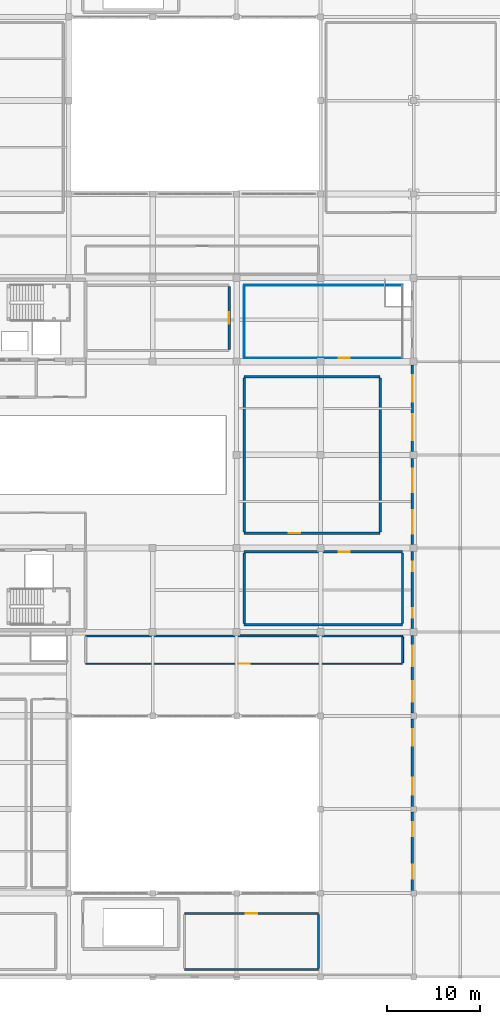
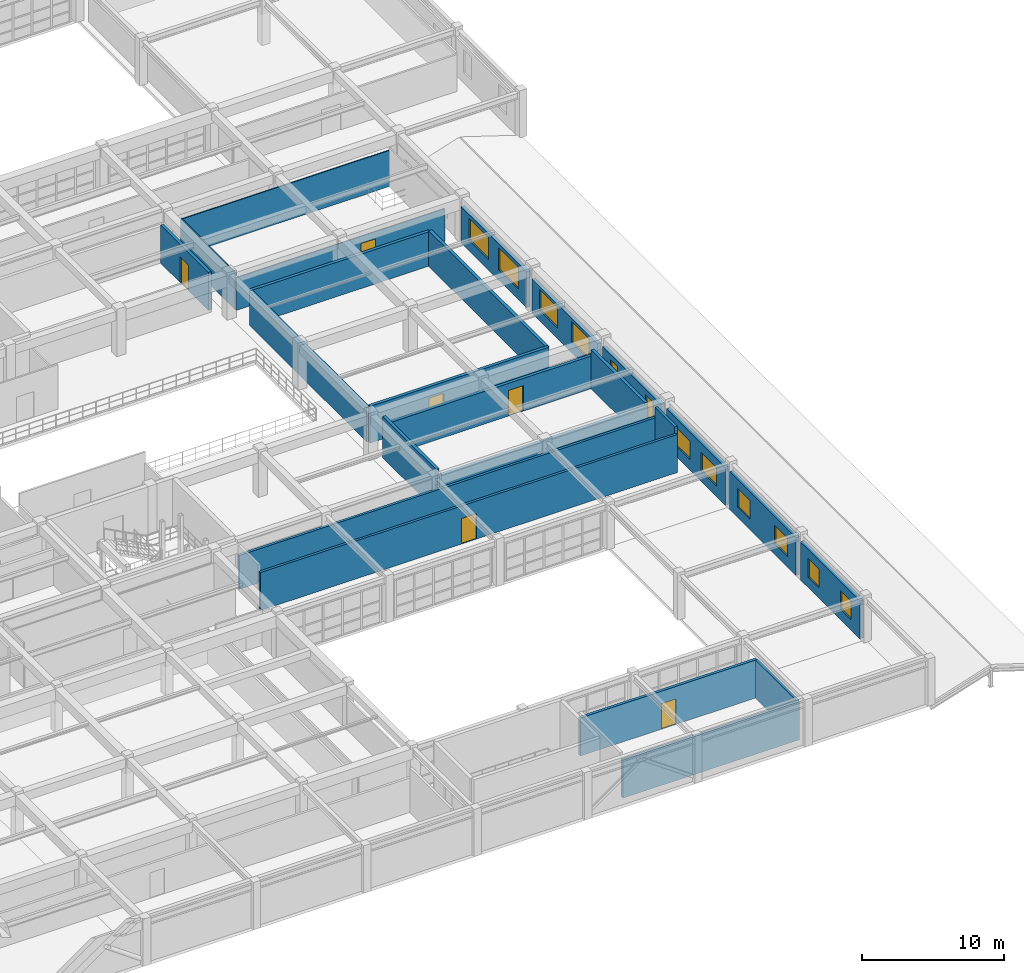
# One storey, part 117 of 130: 24 walls, 12 windows, 6 doors, 18 openings.
"""IFC4 building model written with IfcOpenShell, lengths in metres."""

from ifc_helpers import new_model, si_unit, direction, frame, frame_2d, origin, place, context, subcontext, project, spatial, rectangle, extrude, material, layer, layer_set, type_object, element, fill, save


model = new_model("IFC4")

# Units and contexts
model_context = context("Model", 3, precision=1e-05, world=origin(), true_north=direction((0.0, 1.0)))
body_context = subcontext(model_context, "Body", "Model", "MODEL_VIEW")
ifc_project = project(units=[si_unit("LENGTHUNIT", "METRE"), si_unit("AREAUNIT", "SQUARE_METRE"), si_unit("VOLUMEUNIT", "CUBIC_METRE"), si_unit("PLANEANGLEUNIT", "RADIAN"), si_unit("MASSUNIT", "GRAM", prefix="KILO")], contexts=[model_context])

# Site, building, storey
site_placement = place(None, origin())
site = spatial("IfcSite", under=ifc_project, at=site_placement, CompositionType="ELEMENT")
building_placement = place(site_placement, origin())
building = spatial("IfcBuilding", under=site, at=building_placement, Name="Miravela Opera House", CompositionType="ELEMENT")
storey_placement = place(building_placement, frame((0.0, 0.0, 9.52001953125)))
storey = spatial("IfcBuildingStorey", under=building, at=storey_placement, Name="L02", CompositionType="ELEMENT", Elevation=9.52001953125)

# Wall, openings, windows
ifc_material_1 = material(Name="Insulated cream lime-stuccoed masonry", Category="masonry")
ifc_layer_1 = layer(ifc_material_1, 0.2900390625)
ifc_layer_set_1 = layer_set([ifc_layer_1])
wall_type_1 = type_object("IfcWallType", Name="ARC-EW-STUCCO-290", PredefinedType="STANDARD", material=ifc_layer_set_1)
wall_1_placement = place(storey_placement, frame((153.85009765625, 9.300048828125, 0.0), z_axis=(0.0, 0.0, 1.0), x_axis=(0.0, 1.0, 0.0)))
wall_1 = element("IfcWall", 1, at=wall_1_placement, inside=storey, type_object=wall_type_1, Name="Spanish Colonial Stucco Facade Wall L02-011", PredefinedType="STANDARD", context=body_context, shape_type="SweptSolid", body=[
    extrude(rectangle(XDim=8.39990234375, YDim=0.2900390625, at=frame_2d((4.199951171875, 0.0))), origin(), (0.0, 0.0, 1.0), 3.277099609375),
])
opening_1_placement = place(wall_1_placement, frame((1.25, 0.0, 0.89990234375)))
opening_1 = element("IfcOpeningElement", 2, at=opening_1_placement, cuts=wall_1, Name="Opening W-12", PredefinedType="OPENING", context=body_context, shape_type="SweptSolid", body=[
    extrude(rectangle(XDim=1.5, YDim=1.60009765625, at=frame_2d((0.75, 0.800048828125))), frame((0.0, 0.155029296875, 0.0), z_axis=(0.0, -1.0, 0.0), x_axis=(1.0, 0.0, 0.0)), (0.0, 0.0, 1.0), 0.31005859375),
])
opening_2_placement = place(wall_1_placement, frame((5.800048828125, 0.0, 0.89990234375)))
opening_2 = element("IfcOpeningElement", 3, at=opening_2_placement, cuts=wall_1, Name="Opening W-12", PredefinedType="OPENING", context=body_context, shape_type="SweptSolid", body=[
    extrude(rectangle(XDim=1.5, YDim=1.60009765625, at=frame_2d((0.75, 0.800048828125))), frame((0.0, 0.155029296875, 0.0), z_axis=(0.0, -1.0, 0.0), x_axis=(1.0, 0.0, 0.0)), (0.0, 0.0, 1.0), 0.31005859375),
])
ifc_material_2 = material(Name="Bronze-anodised aluminium and acoustic low-E glass", Category="aluminium")
window_type_1 = type_object("IfcWindowType", Name="ARC-WIN-12", PartitioningType="DOUBLE_PANEL_VERTICAL", PredefinedType="WINDOW", material=ifc_material_2)
window_1_placement = place(opening_1_placement, origin())
window_1 = element("IfcWindow", 4, at=window_1_placement, inside=storey, type_object=window_type_1, Name="Window W-12 #045", OverallHeight=1.60009765625, OverallWidth=1.5, PartitioningType="DOUBLE_PANEL_VERTICAL", PredefinedType="WINDOW", context=body_context, shape_type="SweptSolid", body=[
    extrude(rectangle(XDim=1.5, YDim=1.60009765625, at=frame_2d((0.75, 0.800048828125))), frame((0.0, 0.030029296875, 0.0), z_axis=(0.0, -1.0, 0.0), x_axis=(1.0, 0.0, 0.0)), (0.0, 0.0, 1.0), 0.06005859375),
])
fill(opening_1, window_1)
window_2_placement = place(opening_2_placement, origin())
window_2 = element("IfcWindow", 5, at=window_2_placement, inside=storey, type_object=window_type_1, Name="Window W-12 #046", OverallHeight=1.60009765625, OverallWidth=1.5, PartitioningType="DOUBLE_PANEL_VERTICAL", PredefinedType="WINDOW", context=body_context, shape_type="SweptSolid", body=[
    extrude(rectangle(XDim=1.5, YDim=1.60009765625, at=frame_2d((0.75, 0.800048828125))), frame((0.0, 0.030029296875, 0.0), z_axis=(0.0, -1.0, 0.0), x_axis=(1.0, 0.0, 0.0)), (0.0, 0.0, 1.0), 0.06005859375),
])
fill(opening_2, window_2)

wall_2_placement = place(storey_placement, frame((153.85009765625, 18.300048828125, 0.0), z_axis=(0.0, 0.0, 1.0), x_axis=(0.0, 1.0, 0.0)))
wall_2 = element("IfcWall", 6, at=wall_2_placement, inside=storey, type_object=wall_type_1, Name="Spanish Colonial Stucco Facade Wall L02-012", PredefinedType="STANDARD", context=body_context, shape_type="SweptSolid", body=[
    extrude(rectangle(XDim=9.39990234375, YDim=0.2900390625, at=frame_2d((4.699951171875, 0.0))), origin(), (0.0, 0.0, 1.0), 3.277099609375),
])
opening_3_placement = place(wall_2_placement, frame((1.25, 0.0, 0.89990234375)))
opening_3 = element("IfcOpeningElement", 7, at=opening_3_placement, cuts=wall_2, Name="Opening W-13", PredefinedType="OPENING", context=body_context, shape_type="SweptSolid", body=[
    extrude(rectangle(XDim=1.800048828125, YDim=1.60009765625, at=frame_2d((0.89990234375, 0.800048828125))), frame((0.0, 0.155029296875, 0.0), z_axis=(0.0, -1.0, 0.0), x_axis=(1.0, 0.0, 0.0)), (0.0, 0.0, 1.0), 0.31005859375),
])
opening_4_placement = place(wall_2_placement, frame((6.5, 0.0, 0.89990234375)))
opening_4 = element("IfcOpeningElement", 8, at=opening_4_placement, cuts=wall_2, Name="Opening W-13", PredefinedType="OPENING", context=body_context, shape_type="SweptSolid", body=[
    extrude(rectangle(XDim=1.800048828125, YDim=1.60009765625, at=frame_2d((0.89990234375, 0.800048828125))), frame((0.0, 0.155029296875, 0.0), z_axis=(0.0, -1.0, 0.0), x_axis=(1.0, 0.0, 0.0)), (0.0, 0.0, 1.0), 0.31005859375),
])
window_type_2 = type_object("IfcWindowType", Name="ARC-WIN-13", PartitioningType="DOUBLE_PANEL_VERTICAL", PredefinedType="WINDOW", material=ifc_material_2)
window_3_placement = place(opening_3_placement, origin())
window_3 = element("IfcWindow", 9, at=window_3_placement, inside=storey, type_object=window_type_2, Name="Window W-13 #047", OverallHeight=1.60009765625, OverallWidth=1.800048828125, PartitioningType="DOUBLE_PANEL_VERTICAL", PredefinedType="WINDOW", context=body_context, shape_type="SweptSolid", body=[
    extrude(rectangle(XDim=1.800048828125, YDim=1.60009765625, at=frame_2d((0.89990234375, 0.800048828125))), frame((0.0, 0.030029296875, 0.0), z_axis=(0.0, -1.0, 0.0), x_axis=(1.0, 0.0, 0.0)), (0.0, 0.0, 1.0), 0.06005859375),
])
fill(opening_3, window_3)
window_4_placement = place(opening_4_placement, origin())
window_4 = element("IfcWindow", 10, at=window_4_placement, inside=storey, type_object=window_type_2, Name="Window W-13 #048", OverallHeight=1.60009765625, OverallWidth=1.800048828125, PartitioningType="DOUBLE_PANEL_VERTICAL", PredefinedType="WINDOW", context=body_context, shape_type="SweptSolid", body=[
    extrude(rectangle(XDim=1.800048828125, YDim=1.60009765625, at=frame_2d((0.89990234375, 0.800048828125))), frame((0.0, 0.030029296875, 0.0), z_axis=(0.0, -1.0, 0.0), x_axis=(1.0, 0.0, 0.0)), (0.0, 0.0, 1.0), 0.06005859375),
])
fill(opening_4, window_4)

wall_3_placement = place(storey_placement, frame((153.85009765625, 28.300048828125, 0.0), z_axis=(0.0, 0.0, 1.0), x_axis=(0.0, 1.0, 0.0)))
wall_3 = element("IfcWall", 11, at=wall_3_placement, inside=storey, type_object=wall_type_1, Name="Spanish Colonial Stucco Facade Wall L02-013", PredefinedType="STANDARD", context=body_context, shape_type="SweptSolid", body=[
    extrude(rectangle(XDim=8.324951171875, YDim=0.2900390625, at=frame_2d((4.16259765625, 0.0))), origin(), (0.0, 0.0, 1.0), 3.277099609375),
])
opening_5_placement = place(wall_3_placement, frame((1.25, 0.0, 0.89990234375)))
opening_5 = element("IfcOpeningElement", 12, at=opening_5_placement, cuts=wall_3, Name="Opening W-14", PredefinedType="OPENING", context=body_context, shape_type="SweptSolid", body=[
    extrude(rectangle(XDim=2.199951171875, YDim=1.60009765625, at=frame_2d((1.10009765625, 0.800048828125))), frame((0.0, 0.155029296875, 0.0), z_axis=(0.0, -1.0, 0.0), x_axis=(1.0, 0.0, 0.0)), (0.0, 0.0, 1.0), 0.31005859375),
])
opening_6_placement = place(wall_3_placement, frame((5.02490234375, 0.0, 0.89990234375)))
opening_6 = element("IfcOpeningElement", 13, at=opening_6_placement, cuts=wall_3, Name="Opening W-14", PredefinedType="OPENING", context=body_context, shape_type="SweptSolid", body=[
    extrude(rectangle(XDim=2.199951171875, YDim=1.60009765625, at=frame_2d((1.10009765625, 0.800048828125))), frame((0.0, 0.155029296875, 0.0), z_axis=(0.0, -1.0, 0.0), x_axis=(1.0, 0.0, 0.0)), (0.0, 0.0, 1.0), 0.31005859375),
])
window_type_3 = type_object("IfcWindowType", Name="ARC-WIN-14", PartitioningType="DOUBLE_PANEL_VERTICAL", PredefinedType="WINDOW", material=ifc_material_2)
window_5_placement = place(opening_5_placement, origin())
window_5 = element("IfcWindow", 14, at=window_5_placement, inside=storey, type_object=window_type_3, Name="Window W-14 #049", OverallHeight=1.60009765625, OverallWidth=2.199951171875, PartitioningType="DOUBLE_PANEL_VERTICAL", PredefinedType="WINDOW", context=body_context, shape_type="SweptSolid", body=[
    extrude(rectangle(XDim=2.199951171875, YDim=1.60009765625, at=frame_2d((1.10009765625, 0.800048828125))), frame((0.0, 0.030029296875, 0.0), z_axis=(0.0, -1.0, 0.0), x_axis=(1.0, 0.0, 0.0)), (0.0, 0.0, 1.0), 0.06005859375),
])
fill(opening_5, window_5)
window_6_placement = place(opening_6_placement, origin())
window_6 = element("IfcWindow", 15, at=window_6_placement, inside=storey, type_object=window_type_3, Name="Window W-14 #050", OverallHeight=1.60009765625, OverallWidth=2.199951171875, PartitioningType="DOUBLE_PANEL_VERTICAL", PredefinedType="WINDOW", context=body_context, shape_type="SweptSolid", body=[
    extrude(rectangle(XDim=2.199951171875, YDim=1.60009765625, at=frame_2d((1.10009765625, 0.800048828125))), frame((0.0, 0.030029296875, 0.0), z_axis=(0.0, -1.0, 0.0), x_axis=(1.0, 0.0, 0.0)), (0.0, 0.0, 1.0), 0.06005859375),
])
fill(opening_6, window_6)

wall_4_placement = place(storey_placement, frame((153.85009765625, 37.375, 0.0), z_axis=(0.0, 0.0, 1.0), x_axis=(0.0, 1.0, 0.0)))
wall_4 = element("IfcWall", 16, at=wall_4_placement, inside=storey, type_object=wall_type_1, Name="Spanish Colonial Stucco Facade Wall L02-014", PredefinedType="STANDARD", context=body_context, shape_type="SweptSolid", body=[
    extrude(rectangle(XDim=8.25, YDim=0.2900390625, at=frame_2d((4.125, 0.0))), origin(), (0.0, 0.0, 1.0), 3.169921875),
])
opening_7_placement = place(wall_4_placement, frame((1.175048828125, 0.0, 0.89990234375)))
opening_7 = element("IfcOpeningElement", 17, at=opening_7_placement, cuts=wall_4, Name="Opening W-15", PredefinedType="OPENING", context=body_context, shape_type="SweptSolid", body=[
    extrude(rectangle(XDim=1.0, YDim=1.800048828125, at=frame_2d((0.5, 0.89990234375))), frame((0.0, 0.155029296875, 0.0), z_axis=(0.0, -1.0, 0.0), x_axis=(1.0, 0.0, 0.0)), (0.0, 0.0, 1.0), 0.31005859375),
])
opening_8_placement = place(wall_4_placement, frame((6.14990234375, 0.0, 0.89990234375)))
opening_8 = element("IfcOpeningElement", 18, at=opening_8_placement, cuts=wall_4, Name="Opening W-15", PredefinedType="OPENING", context=body_context, shape_type="SweptSolid", body=[
    extrude(rectangle(XDim=1.0, YDim=1.800048828125, at=frame_2d((0.5, 0.89990234375))), frame((0.0, 0.155029296875, 0.0), z_axis=(0.0, -1.0, 0.0), x_axis=(1.0, 0.0, 0.0)), (0.0, 0.0, 1.0), 0.31005859375),
])
window_type_4 = type_object("IfcWindowType", Name="ARC-WIN-15", PartitioningType="SINGLE_PANEL", PredefinedType="WINDOW", material=ifc_material_2)
window_7_placement = place(opening_7_placement, origin())
window_7 = element("IfcWindow", 19, at=window_7_placement, inside=storey, type_object=window_type_4, Name="Window W-15 #051", OverallHeight=1.800048828125, OverallWidth=1.0, PartitioningType="SINGLE_PANEL", PredefinedType="WINDOW", context=body_context, shape_type="SweptSolid", body=[
    extrude(rectangle(XDim=1.0, YDim=1.800048828125, at=frame_2d((0.5, 0.89990234375))), frame((0.0, 0.030029296875, 0.0), z_axis=(0.0, -1.0, 0.0), x_axis=(1.0, 0.0, 0.0)), (0.0, 0.0, 1.0), 0.06005859375),
])
fill(opening_7, window_7)
window_8_placement = place(opening_8_placement, origin())
window_8 = element("IfcWindow", 20, at=window_8_placement, inside=storey, type_object=window_type_4, Name="Window W-15 #052", OverallHeight=1.800048828125, OverallWidth=1.0, PartitioningType="SINGLE_PANEL", PredefinedType="WINDOW", context=body_context, shape_type="SweptSolid", body=[
    extrude(rectangle(XDim=1.0, YDim=1.800048828125, at=frame_2d((0.5, 0.89990234375))), frame((0.0, 0.030029296875, 0.0), z_axis=(0.0, -1.0, 0.0), x_axis=(1.0, 0.0, 0.0)), (0.0, 0.0, 1.0), 0.06005859375),
])
fill(opening_8, window_8)

wall_5_placement = place(storey_placement, frame((153.85009765625, 46.375, 0.0), z_axis=(0.0, 0.0, 1.0), x_axis=(0.0, 1.0, 0.0)))
wall_5 = element("IfcWall", 21, at=wall_5_placement, inside=storey, type_object=wall_type_1, Name="Spanish Colonial Stucco Facade Wall L02-015", PredefinedType="STANDARD", context=body_context, shape_type="SweptSolid", body=[
    extrude(rectangle(XDim=9.25, YDim=0.2900390625, at=frame_2d((4.625, 0.0))), origin(), (0.0, 0.0, 1.0), 2.969970703125),
])
opening_9_placement = place(wall_5_placement, frame((1.175048828125, 0.0, 0.89990234375)))
opening_9 = element("IfcOpeningElement", 22, at=opening_9_placement, cuts=wall_5, Name="Opening W-19", PredefinedType="OPENING", context=body_context, shape_type="SweptSolid", body=[
    extrude(rectangle(XDim=2.5, YDim=1.800048828125, at=frame_2d((1.25, 0.89990234375))), frame((0.0, 0.155029296875, 0.0), z_axis=(0.0, -1.0, 0.0), x_axis=(1.0, 0.0, 0.0)), (0.0, 0.0, 1.0), 0.31005859375),
])
opening_10_placement = place(wall_5_placement, frame((5.64990234375, 0.0, 0.89990234375)))
opening_10 = element("IfcOpeningElement", 23, at=opening_10_placement, cuts=wall_5, Name="Opening W-19", PredefinedType="OPENING", context=body_context, shape_type="SweptSolid", body=[
    extrude(rectangle(XDim=2.5, YDim=1.800048828125, at=frame_2d((1.25, 0.89990234375))), frame((0.0, 0.155029296875, 0.0), z_axis=(0.0, -1.0, 0.0), x_axis=(1.0, 0.0, 0.0)), (0.0, 0.0, 1.0), 0.31005859375),
])
window_type_5 = type_object("IfcWindowType", Name="ARC-WIN-19", PartitioningType="TRIPLE_PANEL_VERTICAL", PredefinedType="WINDOW", material=ifc_material_2)
window_9_placement = place(opening_9_placement, origin())
window_9 = element("IfcWindow", 24, at=window_9_placement, inside=storey, type_object=window_type_5, Name="Window W-19 #053", OverallHeight=1.800048828125, OverallWidth=2.5, PartitioningType="TRIPLE_PANEL_VERTICAL", PredefinedType="WINDOW", context=body_context, shape_type="SweptSolid", body=[
    extrude(rectangle(XDim=2.5, YDim=1.800048828125, at=frame_2d((1.25, 0.89990234375))), frame((0.0, 0.030029296875, 0.0), z_axis=(0.0, -1.0, 0.0), x_axis=(1.0, 0.0, 0.0)), (0.0, 0.0, 1.0), 0.06005859375),
])
fill(opening_9, window_9)
window_10_placement = place(opening_10_placement, origin())
window_10 = element("IfcWindow", 25, at=window_10_placement, inside=storey, type_object=window_type_5, Name="Window W-19 #054", OverallHeight=1.800048828125, OverallWidth=2.5, PartitioningType="TRIPLE_PANEL_VERTICAL", PredefinedType="WINDOW", context=body_context, shape_type="SweptSolid", body=[
    extrude(rectangle(XDim=2.5, YDim=1.800048828125, at=frame_2d((1.25, 0.89990234375))), frame((0.0, 0.030029296875, 0.0), z_axis=(0.0, -1.0, 0.0), x_axis=(1.0, 0.0, 0.0)), (0.0, 0.0, 1.0), 0.06005859375),
])
fill(opening_10, window_10)

wall_6_placement = place(storey_placement, frame((153.85009765625, 56.375, 0.0), z_axis=(0.0, 0.0, 1.0), x_axis=(0.0, 1.0, 0.0)))
wall_6 = element("IfcWall", 26, at=wall_6_placement, inside=storey, type_object=wall_type_1, Name="Spanish Colonial Stucco Facade Wall L02-016", PredefinedType="STANDARD", context=body_context, shape_type="SweptSolid", body=[
    extrude(rectangle(XDim=9.25, YDim=0.2900390625, at=frame_2d((4.625, 0.0))), origin(), (0.0, 0.0, 1.0), 3.119873046875),
])
opening_11_placement = place(wall_6_placement, frame((1.175048828125, 0.0, 0.89990234375)))
opening_11 = element("IfcOpeningElement", 27, at=opening_11_placement, cuts=wall_6, Name="Opening W-20", PredefinedType="OPENING", context=body_context, shape_type="SweptSolid", body=[
    extrude(rectangle(XDim=2.800048828125, YDim=1.89990234375, at=frame_2d((1.39990234375, 0.949951171875))), frame((0.0, 0.155029296875, 0.0), z_axis=(0.0, -1.0, 0.0), x_axis=(1.0, 0.0, 0.0)), (0.0, 0.0, 1.0), 0.31005859375),
])
opening_12_placement = place(wall_6_placement, frame((5.35009765625, 0.0, 0.89990234375)))
opening_12 = element("IfcOpeningElement", 28, at=opening_12_placement, cuts=wall_6, Name="Opening W-20", PredefinedType="OPENING", context=body_context, shape_type="SweptSolid", body=[
    extrude(rectangle(XDim=2.800048828125, YDim=1.89990234375, at=frame_2d((1.39990234375, 0.949951171875))), frame((0.0, 0.155029296875, 0.0), z_axis=(0.0, -1.0, 0.0), x_axis=(1.0, 0.0, 0.0)), (0.0, 0.0, 1.0), 0.31005859375),
])
window_type_6 = type_object("IfcWindowType", Name="ARC-WIN-20", PartitioningType="TRIPLE_PANEL_VERTICAL", PredefinedType="WINDOW", material=ifc_material_2)
window_11_placement = place(opening_11_placement, origin())
window_11 = element("IfcWindow", 29, at=window_11_placement, inside=storey, type_object=window_type_6, Name="Window W-20 #055", OverallHeight=1.89990234375, OverallWidth=2.800048828125, PartitioningType="TRIPLE_PANEL_VERTICAL", PredefinedType="WINDOW", context=body_context, shape_type="SweptSolid", body=[
    extrude(rectangle(XDim=2.800048828125, YDim=1.89990234375, at=frame_2d((1.39990234375, 0.949951171875))), frame((0.0, 0.030029296875, 0.0), z_axis=(0.0, -1.0, 0.0), x_axis=(1.0, 0.0, 0.0)), (0.0, 0.0, 1.0), 0.06005859375),
])
fill(opening_11, window_11)
window_12_placement = place(opening_12_placement, origin())
window_12 = element("IfcWindow", 30, at=window_12_placement, inside=storey, type_object=window_type_6, Name="Window W-20 #056", OverallHeight=1.89990234375, OverallWidth=2.800048828125, PartitioningType="TRIPLE_PANEL_VERTICAL", PredefinedType="WINDOW", context=body_context, shape_type="SweptSolid", body=[
    extrude(rectangle(XDim=2.800048828125, YDim=1.89990234375, at=frame_2d((1.39990234375, 0.949951171875))), frame((0.0, 0.030029296875, 0.0), z_axis=(0.0, -1.0, 0.0), x_axis=(1.0, 0.0, 0.0)), (0.0, 0.0, 1.0), 0.06005859375),
])
fill(opening_12, window_12)

# Wall, opening, door
ifc_material_3 = material(Name="Acoustic metal-stud gypsum partition")
ifc_layer_2 = layer(ifc_material_3, 0.090087890625)
ifc_layer_set_2 = layer_set([ifc_layer_2])
wall_type_2 = type_object("IfcWallType", Name="ARC-PT-090", PredefinedType="PARTITIONING", material=ifc_layer_set_2)
wall_7_placement = place(storey_placement, frame((135.800048828125, 66.39990234375, 0.0), z_axis=(0.0, 0.0, 1.0), x_axis=(1.0, 0.0, 0.0)))
wall_7 = element("IfcWall", 31, at=wall_7_placement, inside=storey, type_object=wall_type_2, Name="Stage Sound Mixing and Foley Studio Partition South", PredefinedType="PARTITIONING", context=body_context, shape_type="SweptSolid", body=[
    extrude(rectangle(XDim=17.0, YDim=0.090087890625, at=frame_2d((8.5, 0.0))), origin(), (0.0, 0.0, 1.0), 2.820068359375),
])
opening_13_placement = place(wall_7_placement, frame((10.14404296875, 0.0, 0.0)))
opening_13 = element("IfcOpeningElement", 32, at=opening_13_placement, cuts=wall_7, Name="Opening ID-04", PredefinedType="OPENING", context=body_context, shape_type="SweptSolid", body=[
    extrude(rectangle(XDim=1.199951171875, YDim=2.199951171875, at=frame_2d((0.60009765625, 1.10009765625))), frame((0.0, 0.054931640625, 0.0), z_axis=(0.0, -1.0, 0.0), x_axis=(1.0, 0.0, 0.0)), (0.0, 0.0, 1.0), 0.110107421875),
])
ifc_material_4 = material(Name="Wide acoustic ensemble door")
door_type_1 = type_object("IfcDoorType", Name="ARC-DR-1200X2200", OperationType="NOTDEFINED", PredefinedType="DOOR", material=ifc_material_4)
door_1_placement = place(opening_13_placement, origin())
door_1 = element("IfcDoor", 33, at=door_1_placement, inside=storey, type_object=door_type_1, Name="Stage Sound Mixing and Foley Studio Entry Door IDR-L02-0254", OperationType="SINGLE_SWING_RIGHT", OverallHeight=2.199951171875, OverallWidth=1.199951171875, PredefinedType="DOOR", context=body_context, shape_type="SweptSolid", body=[
    extrude(rectangle(XDim=1.199951171875, YDim=2.199951171875, at=frame_2d((0.60009765625, 1.10009765625))), frame((0.0, 0.02490234375, 0.0), z_axis=(0.0, -1.0, 0.0), x_axis=(1.0, 0.0, 0.0)), (0.0, 0.0, 1.0), 0.050048828125),
])
fill(opening_13, door_1)

# Walls
wall_8_placement = place(storey_placement, frame((135.800048828125, 74.199951171875, 0.0), z_axis=(0.0, 0.0, 1.0), x_axis=(1.0, 0.0, 0.0)))
element("IfcWall", 34, at=wall_8_placement, inside=storey, type_object=wall_type_2, Name="Stage Sound Mixing and Foley Studio Partition North", PredefinedType="PARTITIONING", context=body_context, shape_type="SweptSolid", body=[
    extrude(rectangle(XDim=17.0, YDim=0.090087890625, at=frame_2d((8.5, 0.0))), origin(), (0.0, 0.0, 1.0), 3.119873046875),
])
wall_9_placement = place(storey_placement, frame((135.800048828125, 66.445068359375, 0.0), z_axis=(0.0, 0.0, 1.0), x_axis=(0.0, 1.0, 0.0)))
element("IfcWall", 35, at=wall_9_placement, inside=storey, type_object=wall_type_2, Name="Stage Sound Mixing and Foley Studio Partition West", PredefinedType="PARTITIONING", context=body_context, shape_type="SweptSolid", body=[
    extrude(rectangle(XDim=7.7099609375, YDim=0.090087890625, at=frame_2d((3.85498046875, 0.0))), origin(), (0.0, 0.0, 1.0), 3.219970703125),
])
ifc_material_5 = material(Name="High-STC auditorium lobby partition")
ifc_layer_3 = layer(ifc_material_5, 0.22998046875)
ifc_layer_set_3 = layer_set([ifc_layer_3])
wall_type_3 = type_object("IfcWallType", Name="ARC-PT-205", PredefinedType="PARTITIONING", material=ifc_layer_set_3)
wall_10_placement = place(storey_placement, frame((129.39990234375, 0.800048828125, 0.0), z_axis=(0.0, 0.0, 1.0), x_axis=(1.0, 0.0, 0.0)))
element("IfcWall", 36, at=wall_10_placement, inside=storey, type_object=wall_type_3, Name="Male Chorus Dressing Suite Partition South", PredefinedType="PARTITIONING", context=body_context, shape_type="SweptSolid", body=[
    extrude(rectangle(XDim=14.400146484375, YDim=0.22998046875, at=frame_2d((7.2001953125, 0.0))), origin(), (0.0, 0.0, 1.0), 3.277099609375),
])

# Wall, opening, door
wall_11_placement = place(storey_placement, frame((129.39990234375, 6.800048828125, 0.0), z_axis=(0.0, 0.0, 1.0), x_axis=(1.0, 0.0, 0.0)))
wall_11 = element("IfcWall", 37, at=wall_11_placement, inside=storey, type_object=wall_type_3, Name="Male Chorus Dressing Suite Partition North", PredefinedType="PARTITIONING", context=body_context, shape_type="SweptSolid", body=[
    extrude(rectangle(XDim=14.400146484375, YDim=0.22998046875, at=frame_2d((7.2001953125, 0.0))), origin(), (0.0, 0.0, 1.0), 3.277099609375),
])
opening_14_placement = place(wall_11_placement, frame((6.60009765625, 0.0, 0.0)))
opening_14 = element("IfcOpeningElement", 38, at=opening_14_placement, cuts=wall_11, Name="Opening ID-04", PredefinedType="OPENING", context=body_context, shape_type="SweptSolid", body=[
    extrude(rectangle(XDim=1.199951171875, YDim=2.199951171875, at=frame_2d((0.60009765625, 1.10009765625))), frame((0.0, 0.125, 0.0), z_axis=(0.0, -1.0, 0.0), x_axis=(1.0, 0.0, 0.0)), (0.0, 0.0, 1.0), 0.25),
])
door_2_placement = place(opening_14_placement, frame((1.199951171875, 0.0, 0.0), z_axis=(0.0, 0.0, 1.0), x_axis=(-1.0, 0.0, 0.0)))
door_2 = element("IfcDoor", 39, at=door_2_placement, inside=storey, type_object=door_type_1, Name="Male Chorus Dressing Suite Entry Door IDR-L02-0234", OperationType="SINGLE_SWING_LEFT", OverallHeight=2.199951171875, OverallWidth=1.199951171875, PredefinedType="DOOR", context=body_context, shape_type="SweptSolid", body=[
    extrude(rectangle(XDim=1.199951171875, YDim=2.199951171875, at=frame_2d((0.60009765625, 1.10009765625))), frame((0.0, 0.02490234375, 0.0), z_axis=(0.0, -1.0, 0.0), x_axis=(1.0, 0.0, 0.0)), (0.0, 0.0, 1.0), 0.050048828125),
])
fill(opening_14, door_2)

# Wall
wall_12_placement = place(storey_placement, frame((143.800048828125, 0.9150390625, 0.0), z_axis=(0.0, 0.0, 1.0), x_axis=(0.0, 1.0, 0.0)))
element("IfcWall", 40, at=wall_12_placement, inside=storey, type_object=wall_type_3, Name="Male Chorus Dressing Suite Partition East", PredefinedType="PARTITIONING", context=body_context, shape_type="SweptSolid", body=[
    extrude(rectangle(XDim=5.77001953125, YDim=0.22998046875, at=frame_2d((2.885009765625, 0.0))), origin(), (0.0, 0.0, 1.0), 3.277099609375),
])

# Wall, opening, door
ifc_material_6 = material(Name="Workshop fire-resisting block partition")
ifc_layer_4 = layer(ifc_material_6, 0.2099609375)
ifc_layer_set_4 = layer_set([ifc_layer_4])
wall_type_4 = type_object("IfcWallType", Name="ARC-PT-210", PredefinedType="PARTITIONING", material=ifc_layer_set_4)
wall_13_placement = place(storey_placement, frame((118.800048828125, 33.60009765625, 0.0), z_axis=(0.0, 0.0, 1.0), x_axis=(1.0, 0.0, 0.0)))
wall_13 = element("IfcWall", 41, at=wall_13_placement, inside=storey, type_object=wall_type_4, Name="Youth Chorus Dressing Suite Partition South", PredefinedType="PARTITIONING", context=body_context, shape_type="SweptSolid", body=[
    extrude(rectangle(XDim=34.0, YDim=0.2099609375, at=frame_2d((17.0, 0.0))), origin(), (0.0, 0.0, 1.0), 3.277099609375),
])
opening_15_placement = place(wall_13_placement, frame((16.39990234375, 0.0, 0.0)))
opening_15 = element("IfcOpeningElement", 42, at=opening_15_placement, cuts=wall_13, Name="Opening ID-04", PredefinedType="OPENING", context=body_context, shape_type="SweptSolid", body=[
    extrude(rectangle(XDim=1.199951171875, YDim=2.199951171875, at=frame_2d((0.60009765625, 1.10009765625))), frame((0.0, 0.114990234375, 0.0), z_axis=(0.0, -1.0, 0.0), x_axis=(1.0, 0.0, 0.0)), (0.0, 0.0, 1.0), 0.22998046875),
])
door_3_placement = place(opening_15_placement, frame((1.199951171875, 0.0, 0.0), z_axis=(0.0, 0.0, 1.0), x_axis=(-1.0, 0.0, 0.0)))
door_3 = element("IfcDoor", 43, at=door_3_placement, inside=storey, type_object=door_type_1, Name="Youth Chorus Dressing Suite Entry Door IDR-L02-0242", OperationType="SINGLE_SWING_LEFT", OverallHeight=2.199951171875, OverallWidth=1.199951171875, PredefinedType="DOOR", context=body_context, shape_type="SweptSolid", body=[
    extrude(rectangle(XDim=1.199951171875, YDim=2.199951171875, at=frame_2d((0.60009765625, 1.10009765625))), frame((0.0, 0.02490234375, 0.0), z_axis=(0.0, -1.0, 0.0), x_axis=(1.0, 0.0, 0.0)), (0.0, 0.0, 1.0), 0.050048828125),
])
fill(opening_15, door_3)

# Walls
wall_14_placement = place(storey_placement, frame((118.800048828125, 36.60009765625, 0.0), z_axis=(0.0, 0.0, 1.0), x_axis=(1.0, 0.0, 0.0)))
element("IfcWall", 44, at=wall_14_placement, inside=storey, type_object=wall_type_4, Name="Youth Chorus Dressing Suite Partition North", PredefinedType="PARTITIONING", context=body_context, shape_type="SweptSolid", body=[
    extrude(rectangle(XDim=34.0, YDim=0.2099609375, at=frame_2d((17.0, 0.0))), origin(), (0.0, 0.0, 1.0), 2.919921875),
])
wall_15_placement = place(storey_placement, frame((152.800048828125, 33.705078125, 0.0), z_axis=(0.0, 0.0, 1.0), x_axis=(0.0, 1.0, 0.0)))
element("IfcWall", 45, at=wall_15_placement, inside=storey, type_object=wall_type_4, Name="Youth Chorus Dressing Suite Partition East", PredefinedType="PARTITIONING", context=body_context, shape_type="SweptSolid", body=[
    extrude(rectangle(XDim=2.7900390625, YDim=0.2099609375, at=frame_2d((1.39501953125, 0.0))), origin(), (0.0, 0.0, 1.0), 3.840087890625),
])

# Wall, opening, door
ifc_material_7 = material(Name="Firefighting lobby compartment wall")
ifc_layer_5 = layer(ifc_material_7, 0.25)
ifc_layer_set_5 = layer_set([ifc_layer_5])
wall_type_5 = type_object("IfcWallType", Name="ARC-PT-220", PredefinedType="PARTITIONING", material=ifc_layer_set_5)
wall_16_placement = place(storey_placement, frame((134.199951171875, 67.324951171875, 0.0), z_axis=(0.0, 0.0, 1.0), x_axis=(0.0, 1.0, 0.0)))
wall_16 = element("IfcWall", 46, at=wall_16_placement, inside=storey, type_object=wall_type_5, Name="Stage Fly Gallery Lower North Partition East", PredefinedType="PARTITIONING", context=body_context, shape_type="SweptSolid", body=[
    extrude(rectangle(XDim=6.75, YDim=0.25, at=frame_2d((3.375, 0.0))), origin(), (0.0, 0.0, 1.0), 3.286865234375),
])
opening_16_placement = place(wall_16_placement, frame((2.77490234375, 0.0, 0.0)))
opening_16 = element("IfcOpeningElement", 47, at=opening_16_placement, cuts=wall_16, Name="Opening FD-02", PredefinedType="OPENING", context=body_context, shape_type="SweptSolid", body=[
    extrude(rectangle(XDim=1.199951171875, YDim=2.199951171875, at=frame_2d((0.60009765625, 1.10009765625))), frame((0.0, 0.135009765625, 0.0), z_axis=(0.0, -1.0, 0.0), x_axis=(1.0, 0.0, 0.0)), (0.0, 0.0, 1.0), 0.27001953125),
])
ifc_material_8 = material(Name="Fire-rated gallery/plant exit door")
door_type_2 = type_object("IfcDoorType", Name="ARC-FD-1200X2200", OperationType="NOTDEFINED", PredefinedType="DOOR", material=ifc_material_8)
door_4_placement = place(opening_16_placement, origin())
door_4 = element("IfcDoor", 48, at=door_4_placement, inside=storey, type_object=door_type_2, Name="Stage Fly Gallery Lower North Entry Door IDR-L02-0227", OperationType="SINGLE_SWING_RIGHT", OverallHeight=2.199951171875, OverallWidth=1.199951171875, PredefinedType="DOOR", context=body_context, shape_type="SweptSolid", body=[
    extrude(rectangle(XDim=1.199951171875, YDim=2.199951171875, at=frame_2d((0.60009765625, 1.10009765625))), frame((0.0, 0.02490234375, 0.0), z_axis=(0.0, -1.0, 0.0), x_axis=(1.0, 0.0, 0.0)), (0.0, 0.0, 1.0), 0.050048828125),
])
fill(opening_16, door_4)

wall_17_placement = place(storey_placement, frame((135.800048828125, 47.60009765625, 0.0), z_axis=(0.0, 0.0, 1.0), x_axis=(1.0, 0.0, 0.0)))
wall_17 = element("IfcWall", 49, at=wall_17_placement, inside=storey, type_object=wall_type_5, Name="Stage Audio and Dimmer Rack Suite Partition South", PredefinedType="PARTITIONING", context=body_context, shape_type="SweptSolid", body=[
    extrude(rectangle(XDim=14.599853515625, YDim=0.25, at=frame_2d((7.2998046875, 0.0))), origin(), (0.0, 0.0, 1.0), 3.169921875),
])
opening_17_placement = place(wall_17_placement, frame((4.81591796875, 0.0, 0.0)))
opening_17 = element("IfcOpeningElement", 50, at=opening_17_placement, cuts=wall_17, Name="Opening FD-02", PredefinedType="OPENING", context=body_context, shape_type="SweptSolid", body=[
    extrude(rectangle(XDim=1.199951171875, YDim=2.199951171875, at=frame_2d((0.60009765625, 1.10009765625))), frame((0.0, 0.135009765625, 0.0), z_axis=(0.0, -1.0, 0.0), x_axis=(1.0, 0.0, 0.0)), (0.0, 0.0, 1.0), 0.27001953125),
])
door_5_placement = place(opening_17_placement, origin())
door_5 = element("IfcDoor", 51, at=door_5_placement, inside=storey, type_object=door_type_2, Name="Stage Audio and Dimmer Rack Suite Entry Door IDR-L02-0228", OperationType="SINGLE_SWING_LEFT", OverallHeight=2.199951171875, OverallWidth=1.199951171875, PredefinedType="DOOR", context=body_context, shape_type="SweptSolid", body=[
    extrude(rectangle(XDim=1.199951171875, YDim=2.199951171875, at=frame_2d((0.60009765625, 1.10009765625))), frame((0.0, 0.02490234375, 0.0), z_axis=(0.0, -1.0, 0.0), x_axis=(1.0, 0.0, 0.0)), (0.0, 0.0, 1.0), 0.050048828125),
])
fill(opening_17, door_5)

# Walls
wall_18_placement = place(storey_placement, frame((135.800048828125, 64.39990234375, 0.0), z_axis=(0.0, 0.0, 1.0), x_axis=(1.0, 0.0, 0.0)))
element("IfcWall", 52, at=wall_18_placement, inside=storey, type_object=wall_type_5, Name="Stage Audio and Dimmer Rack Suite Partition North", PredefinedType="PARTITIONING", context=body_context, shape_type="SweptSolid", body=[
    extrude(rectangle(XDim=14.599853515625, YDim=0.25, at=frame_2d((7.2998046875, 0.0))), origin(), (0.0, 0.0, 1.0), 2.969970703125),
])
wall_19_placement = place(storey_placement, frame((135.800048828125, 47.72509765625, 0.0), z_axis=(0.0, 0.0, 1.0), x_axis=(0.0, 1.0, 0.0)))
element("IfcWall", 53, at=wall_19_placement, inside=storey, type_object=wall_type_5, Name="Stage Audio and Dimmer Rack Suite Partition West", PredefinedType="PARTITIONING", context=body_context, shape_type="SweptSolid", body=[
    extrude(rectangle(XDim=16.5498046875, YDim=0.25, at=frame_2d((8.27490234375, 0.0))), origin(), (0.0, 0.0, 1.0), 2.969970703125),
])
wall_20_placement = place(storey_placement, frame((150.39990234375, 47.72509765625, 0.0), z_axis=(0.0, 0.0, 1.0), x_axis=(0.0, 1.0, 0.0)))
element("IfcWall", 54, at=wall_20_placement, inside=storey, type_object=wall_type_5, Name="Stage Audio and Dimmer Rack Suite Partition East", PredefinedType="PARTITIONING", context=body_context, shape_type="SweptSolid", body=[
    extrude(rectangle(XDim=16.5498046875, YDim=0.25, at=frame_2d((8.27490234375, 0.0))), origin(), (0.0, 0.0, 1.0), 3.070068359375),
])
wall_21_placement = place(storey_placement, frame((135.800048828125, 37.800048828125, 0.0), z_axis=(0.0, 0.0, 1.0), x_axis=(1.0, 0.0, 0.0)))
element("IfcWall", 55, at=wall_21_placement, inside=storey, type_object=wall_type_5, Name="Wig and Prosthetics Atelier Workshop Partition South", PredefinedType="PARTITIONING", context=body_context, shape_type="SweptSolid", body=[
    extrude(rectangle(XDim=17.0, YDim=0.25, at=frame_2d((8.5, 0.0))), origin(), (0.0, 0.0, 1.0), 3.139892578125),
])

# Wall, opening, door
wall_22_placement = place(storey_placement, frame((135.800048828125, 45.60009765625, 0.0), z_axis=(0.0, 0.0, 1.0), x_axis=(1.0, 0.0, 0.0)))
wall_22 = element("IfcWall", 56, at=wall_22_placement, inside=storey, type_object=wall_type_5, Name="Wig and Prosthetics Atelier Workshop Partition North", PredefinedType="PARTITIONING", context=body_context, shape_type="SweptSolid", body=[
    extrude(rectangle(XDim=17.0, YDim=0.25, at=frame_2d((8.5, 0.0))), origin(), (0.0, 0.0, 1.0), 2.820068359375),
])
opening_18_placement = place(wall_22_placement, frame((10.14404296875, 0.0, 0.0)))
opening_18 = element("IfcOpeningElement", 57, at=opening_18_placement, cuts=wall_22, Name="Opening ID-04", PredefinedType="OPENING", context=body_context, shape_type="SweptSolid", body=[
    extrude(rectangle(XDim=1.199951171875, YDim=2.199951171875, at=frame_2d((0.60009765625, 1.10009765625))), frame((0.0, 0.135009765625, 0.0), z_axis=(0.0, -1.0, 0.0), x_axis=(1.0, 0.0, 0.0)), (0.0, 0.0, 1.0), 0.27001953125),
])
door_6_placement = place(opening_18_placement, frame((1.199951171875, 0.0, 0.0), z_axis=(0.0, 0.0, 1.0), x_axis=(-1.0, 0.0, 0.0)))
door_6 = element("IfcDoor", 58, at=door_6_placement, inside=storey, type_object=door_type_1, Name="Wig and Prosthetics Atelier Workshop Entry Door IDR-L02-0253", OperationType="SINGLE_SWING_LEFT", OverallHeight=2.199951171875, OverallWidth=1.199951171875, PredefinedType="DOOR", context=body_context, shape_type="SweptSolid", body=[
    extrude(rectangle(XDim=1.199951171875, YDim=2.199951171875, at=frame_2d((0.60009765625, 1.10009765625))), frame((0.0, 0.02490234375, 0.0), z_axis=(0.0, -1.0, 0.0), x_axis=(1.0, 0.0, 0.0)), (0.0, 0.0, 1.0), 0.050048828125),
])
fill(opening_18, door_6)

# Walls
wall_23_placement = place(storey_placement, frame((135.800048828125, 37.925048828125, 0.0), z_axis=(0.0, 0.0, 1.0), x_axis=(0.0, 1.0, 0.0)))
element("IfcWall", 59, at=wall_23_placement, inside=storey, type_object=wall_type_5, Name="Wig and Prosthetics Atelier Workshop Partition West", PredefinedType="PARTITIONING", context=body_context, shape_type="SweptSolid", body=[
    extrude(rectangle(XDim=7.550048828125, YDim=0.25, at=frame_2d((3.77490234375, 0.0))), origin(), (0.0, 0.0, 1.0), 3.56689453125),
])
wall_24_placement = place(storey_placement, frame((152.800048828125, 37.925048828125, 0.0), z_axis=(0.0, 0.0, 1.0), x_axis=(0.0, 1.0, 0.0)))
element("IfcWall", 60, at=wall_24_placement, inside=storey, type_object=wall_type_5, Name="Wig and Prosthetics Atelier Workshop Partition East", PredefinedType="PARTITIONING", context=body_context, shape_type="SweptSolid", body=[
    extrude(rectangle(XDim=7.550048828125, YDim=0.25, at=frame_2d((3.77490234375, 0.0))), origin(), (0.0, 0.0, 1.0), 3.35986328125),
])

save(model, "model.ifc")
